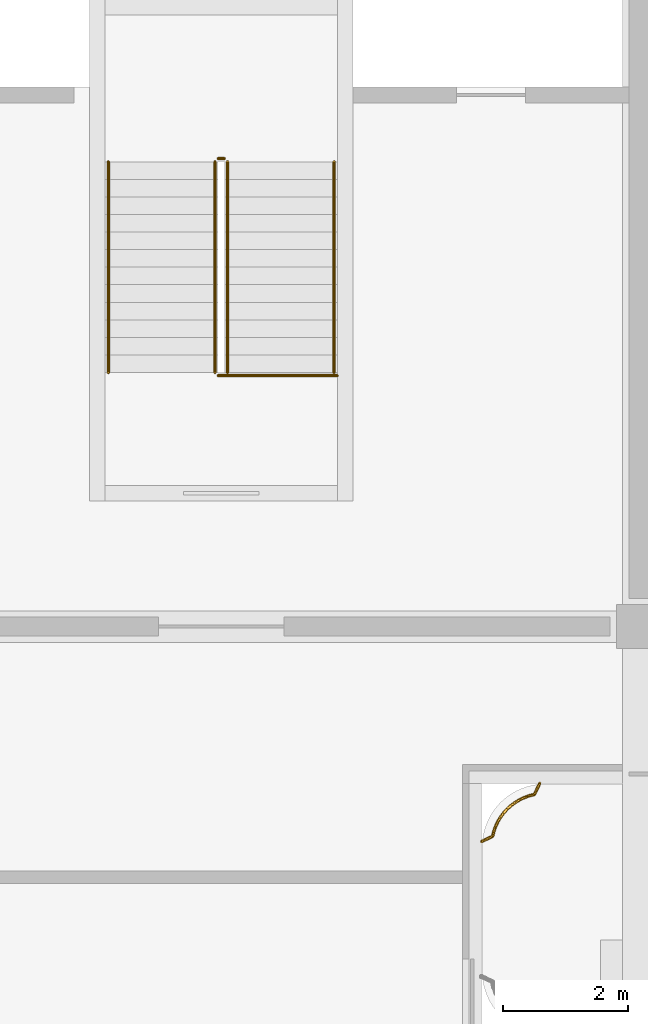
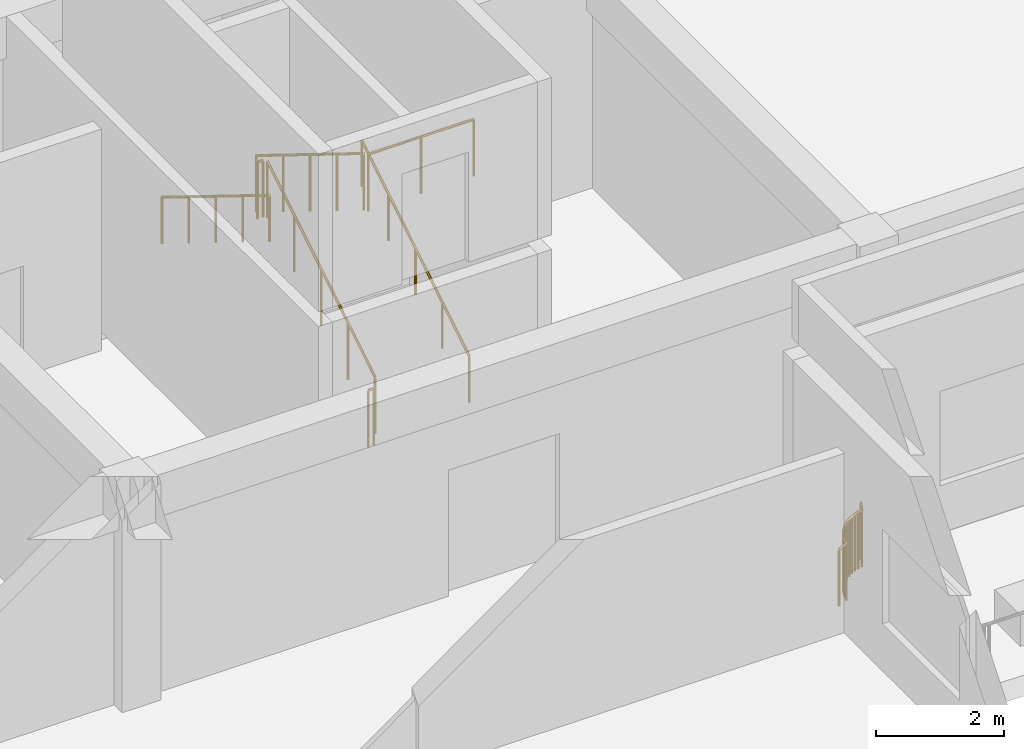
# One storey, part 33 of 35: 8 railings.
"""IFC4 building model written with IfcOpenShell, lengths in metres."""

import ifcopenshell
import ifcopenshell.guid

model = None  # the IFC model being written
_history = None  # IfcOwnerHistory: only IFC2X3 demands one
_inside = {}  # id of a spatial element -> (the spatial element, [elements in it])
_under = {}  # id of a project, library or spatial element -> (it, [spatial elements below it])
_declared = {}  # id of a project -> (the project, [libraries it declares])
_typed = {}  # id of a type object -> (the type object, [elements of that type])
_made_of = {}  # id of a material, layer set ... -> (it, [elements and type objects made of it])


def new_model(schema):
    """Start an empty IFC model of exactly this schema.

    Asked for "IFC4X3", IfcOpenShell would pick the latest addendum, in which some entities
    have other attributes; the version numbers below select the first issue.
    IFC2X3 requires an IfcOwnerHistory on every rooted entity: one is made here for all.
    """
    global model, _history
    if schema == "IFC4X3":
        model = ifcopenshell.file(schema_version=(4, 3, 0, 0))
    else:
        model = ifcopenshell.file(schema=schema)
    _inside.clear()
    _under.clear()
    _declared.clear()
    _typed.clear()
    _made_of.clear()
    _history = None
    if model.schema == "IFC2X3":
        org = make("IfcOrganization", Name="unknown")
        user = make(
            "IfcPersonAndOrganization",
            ThePerson=make("IfcPerson", FamilyName="unknown"),
            TheOrganization=org,
        )
        app = make(
            "IfcApplication",
            ApplicationDeveloper=org,
            Version="unknown",
            ApplicationFullName="unknown",
            ApplicationIdentifier="unknown",
        )
        _history = make(
            "IfcOwnerHistory",
            OwningUser=user,
            OwningApplication=app,
            ChangeAction="ADDED",
            CreationDate=0,
        )
    return model


def make(cls, **values):
    """One entity of the class cls with the attributes given. An attribute that is None is left unset."""
    return model.create_entity(
        cls, **{name: value for name, value in values.items() if value is not None}
    )


def rooted(cls, **values):
    """An entity with a GlobalId (a new one), such as an element, a storey or a relation."""
    return make(cls, GlobalId=ifcopenshell.guid.new(), OwnerHistory=_history, **values)


def si_unit(unit_type, name, prefix=None):
    """IfcSIUnit, for example si_unit("LENGTHUNIT", "METRE", prefix="MILLI")."""
    return make("IfcSIUnit", UnitType=unit_type, Prefix=prefix, Name=name)


def assignment(units):
    """IfcUnitAssignment: the units of a project."""
    return None if units is None else make("IfcUnitAssignment", Units=units)


def point(xyz):
    """IfcCartesianPoint."""
    return None if xyz is None else make("IfcCartesianPoint", Coordinates=xyz)


def direction(xyz):
    """IfcDirection."""
    return None if xyz is None else make("IfcDirection", DirectionRatios=xyz)


def frame(location, z_axis=None, x_axis=None):
    """IfcAxis2Placement3D, a coordinate frame: its origin and axes. An axis left out is left unset."""
    return make(
        "IfcAxis2Placement3D",
        Location=point(location),
        Axis=direction(z_axis),
        RefDirection=direction(x_axis),
    )


def frame_2d(location, x_axis=None):
    """IfcAxis2Placement2D, a coordinate frame in the plane: its origin and x axis."""
    return make(
        "IfcAxis2Placement2D", Location=point(location), RefDirection=direction(x_axis)
    )


def origin():
    """The frame at (0, 0, 0) with its axes left unset."""
    return frame((0.0, 0.0, 0.0))


def origin_2d():
    """The frame at (0, 0) in the plane with its x axis left unset."""
    return frame_2d((0.0, 0.0))


def place(relative_to, where):
    """IfcLocalPlacement: puts the frame where relative to a parent placement (None: the world)."""
    return make(
        "IfcLocalPlacement", PlacementRelTo=relative_to, RelativePlacement=where
    )


def context(
    kind, dimensions, precision=None, world=None, true_north=None, identifier=None
):
    """IfcGeometricRepresentationContext, for example the 3D "Model" context."""
    return make(
        "IfcGeometricRepresentationContext",
        ContextIdentifier=identifier,
        ContextType=kind,
        CoordinateSpaceDimension=dimensions,
        Precision=precision,
        WorldCoordinateSystem=world,
        TrueNorth=true_north,
    )


def subcontext(parent, identifier, kind, view, scale=None):
    """IfcGeometricRepresentationSubContext, for example "Body" below "Model"."""
    return make(
        "IfcGeometricRepresentationSubContext",
        ContextIdentifier=identifier,
        ContextType=kind,
        ParentContext=parent,
        TargetScale=scale,
        TargetView=view,
    )


def project(units=None, contexts=None):
    """IfcProject with its units and contexts."""
    return rooted(
        "IfcProject",
        Name="project",
        RepresentationContexts=contexts,
        UnitsInContext=assignment(units),
    )


def spatial(cls, under=None, at=None, **own):
    """A site, building, storey or space (cls), placed at a placement, below another one or the project."""
    s = rooted(cls, ObjectPlacement=at, **own)
    if under is not None:
        _under.setdefault(under.id(), (under, []))[1].append(s)
    return s


def profile(cls, at=None, kind="AREA", **sizes):
    """A parametric profile (cls). Its sizes go by their IFC names, for example OverallWidth=200.0."""
    return make(cls, ProfileType=kind, Position=at, **sizes)


def circle(**sizes):
    """IfcCircleProfileDef."""
    return profile("IfcCircleProfileDef", **sizes)


def extrude(swept, where, along, depth):
    """IfcExtrudedAreaSolid: the profile swept, set in the frame where, extruded along a direction by depth."""
    return make(
        "IfcExtrudedAreaSolid",
        SweptArea=swept,
        Position=where,
        ExtrudedDirection=direction(along),
        Depth=depth,
    )


def shape(context_of_items, identifier, shape_type, items):
    """IfcShapeRepresentation: the items that make up one representation, for example the "Body"."""
    return make(
        "IfcShapeRepresentation",
        ContextOfItems=context_of_items,
        RepresentationIdentifier=identifier,
        RepresentationType=shape_type,
        Items=items,
    )


def material(Name=None, Category=None):
    """IfcMaterial."""
    return make("IfcMaterial", Name=Name, Category=Category)


def made_of(thing, what):
    """Note that an element or type object is made of a material, layer set ...; save() writes the relation."""
    if what is not None:
        _made_of.setdefault(what.id(), (what, []))[1].append(thing)
    return thing


def type_object(cls, material=None, **own):
    """A type object (cls), such as IfcWallType, which elements share."""
    return made_of(rooted(cls, **own), material)


def element(
    cls,
    number,
    at=None,
    inside=None,
    cuts=None,
    type_object=None,
    material=None,
    context=None,
    identifier="Body",
    shape_type=None,
    held_by="IfcProductDefinitionShape",
    body=None,
    shapes=None,
    **own,
):
    """One element of the class cls, such as IfcWall. Its Tag is "e" and its number.

    at: its placement. inside: the storey or other place that contains it. cuts: it is an
    opening in that element (IfcRelVoidsElement). A single representation is given by context,
    identifier, shape_type and body (its items); several are given by shapes. held_by: the class
    of the entity that holds the representations. save() writes the other relations.
    """
    e = rooted(cls, Tag="e%d" % number, ObjectPlacement=at, **own)
    if body is not None:
        shapes = [shape(context, identifier, shape_type, body)]
    if shapes is not None:
        e.Representation = make(held_by, Representations=shapes)
    if inside is not None:
        _inside.setdefault(inside.id(), (inside, []))[1].append(e)
    if cuts is not None:
        rooted(
            "IfcRelVoidsElement", RelatingBuildingElement=cuts, RelatedOpeningElement=e
        )
    if type_object is not None:
        _typed.setdefault(type_object.id(), (type_object, []))[1].append(e)
    return made_of(e, material)


def aggregate(whole, parts):
    """IfcRelAggregates: a whole, such as a stair, and the parts it consists of."""
    return rooted("IfcRelAggregates", RelatingObject=whole, RelatedObjects=parts)


def save(model, path):
    """Write the relations noted so far, then the file.

    IfcRelAggregates (storeys below a building ...), IfcRelContainedInSpatialStructure (elements
    in a storey), IfcRelDefinesByType, IfcRelAssociatesMaterial and IfcRelDeclares: one each for
    every whole, place, type object, material and project.
    """
    for whole, parts in _under.values():
        aggregate(whole, parts)
    for where, things in _inside.values():
        rooted(
            "IfcRelContainedInSpatialStructure",
            RelatedElements=things,
            RelatingStructure=where,
        )
    for kind, things in _typed.values():
        rooted("IfcRelDefinesByType", RelatedObjects=things, RelatingType=kind)
    for what, things in _made_of.values():
        rooted("IfcRelAssociatesMaterial", RelatedObjects=things, RelatingMaterial=what)
    for by, libraries in _declared.values():
        rooted("IfcRelDeclares", RelatingContext=by, RelatedDefinitions=libraries)
    model.write(path)


model = new_model("IFC4")

# Units and contexts
model_context = context("Model", 3, precision=1e-05, world=origin(), true_north=direction((0.0, 1.0)))
body_context = subcontext(model_context, "Body", "Model", "MODEL_VIEW")
ifc_project = project(units=[si_unit("LENGTHUNIT", "METRE"), si_unit("AREAUNIT", "SQUARE_METRE"), si_unit("VOLUMEUNIT", "CUBIC_METRE"), si_unit("PLANEANGLEUNIT", "RADIAN"), si_unit("MASSUNIT", "GRAM", prefix="KILO")], contexts=[model_context])

# Site, building, storey
site_placement = place(None, origin())
site = spatial("IfcSite", under=ifc_project, at=site_placement, CompositionType="ELEMENT")
building_placement = place(site_placement, origin())
building = spatial("IfcBuilding", under=site, at=building_placement, Name="Kilnfold Tower and Market Hall", CompositionType="ELEMENT")
storey_placement = place(building_placement, frame((0.0, 0.0, 22.5)))
storey = spatial("IfcBuildingStorey", under=building, at=storey_placement, Name="L04", CompositionType="ELEMENT", Elevation=22.5)

# Railings
ifc_material_1 = material(Name="Steel S355", Category="steel")
railing_type_1 = type_object("IfcRailingType", Name="HALL STAIR GUARD 1100", PredefinedType="GUARDRAIL", material=ifc_material_1)
railing_1_placement = place(storey_placement, frame((24.10009765625, 46.699951171875, 0.173095703125)))
element("IfcRailing", 1, at=railing_1_placement, inside=storey, type_object=railing_type_1, Name="L04 MS5 stair guard 1", PredefinedType="GUARDRAIL", context=body_context, shape_type="SweptSolid", body=[
    extrude(circle(Radius=0.02392578125, at=origin_2d()), frame((0.0, 0.0, 1.076171875), z_axis=(0.0, 0.850623216509, 0.525775754039), x_axis=(-1.0, 0.0, 0.0)), (0.0, 0.0, 1.0), 3.9501953125),
    extrude(circle(Radius=0.02099609375, at=origin_2d()), origin(), (0.0, 0.0, 1.0), 1.052001953125),
    extrude(circle(Radius=0.02099609375, at=origin_2d()), frame((0.0, 0.840087890625, 0.519287109375)), (0.0, 0.0, 1.0), 1.052001953125),
    extrude(circle(Radius=0.02099609375, at=origin_2d()), frame((0.0, 1.68017578125, 1.03857421875)), (0.0, 0.0, 1.0), 1.052001953125),
    extrude(circle(Radius=0.02099609375, at=origin_2d()), frame((0.0, 2.52001953125, 1.5576171875)), (0.0, 0.0, 1.0), 1.052001953125),
    extrude(circle(Radius=0.02099609375, at=origin_2d()), frame((0.0, 3.360107421875, 2.076904296875)), (0.0, 0.0, 1.0), 1.052001953125),
])
railing_2_placement = place(storey_placement, frame((24.050048828125, 50.110107421875, 2.25)))
element("IfcRailing", 2, at=railing_2_placement, inside=storey, type_object=railing_type_1, Name="L04 MS5 stair guard 2", PredefinedType="GUARDRAIL", context=body_context, shape_type="SweptSolid", body=[
    extrude(circle(Radius=0.02392578125, at=origin_2d()), frame((0.0, 0.0, 1.076171875), z_axis=(-1.0, 0.0, 0.0), x_axis=(0.0, -1.0, 0.0)), (0.0, 0.0, 1.0), 0.10009765625),
    extrude(circle(Radius=0.02099609375, at=origin_2d()), origin(), (0.0, 0.0, 1.0), 1.052001953125),
    extrude(circle(Radius=0.02099609375, at=origin_2d()), frame((-0.10009765625, 0.0, 0.0)), (0.0, 0.0, 1.0), 1.052001953125),
])
railing_3_placement = place(storey_placement, frame((23.89990234375, 50.06005859375, 2.423095703125)))
element("IfcRailing", 3, at=railing_3_placement, inside=storey, type_object=railing_type_1, Name="L04 MS5 stair guard 3", PredefinedType="GUARDRAIL", context=body_context, shape_type="SweptSolid", body=[
    extrude(circle(Radius=0.02392578125, at=origin_2d()), frame((0.0, 0.0, 1.076171875), z_axis=(0.0, -0.850623216509, 0.525775754039), x_axis=(1.0, 0.0, 0.0)), (0.0, 0.0, 1.0), 3.9501953125),
    extrude(circle(Radius=0.02099609375, at=origin_2d()), origin(), (0.0, 0.0, 1.0), 1.052001953125),
    extrude(circle(Radius=0.02099609375, at=origin_2d()), frame((0.0, -0.840087890625, 0.519287109375)), (0.0, 0.0, 1.0), 1.052001953125),
    extrude(circle(Radius=0.02099609375, at=origin_2d()), frame((0.0, -1.68017578125, 1.03857421875)), (0.0, 0.0, 1.0), 1.052001953125),
    extrude(circle(Radius=0.02099609375, at=origin_2d()), frame((0.0, -2.52001953125, 1.5576171875)), (0.0, 0.0, 1.0), 1.052001953125),
    extrude(circle(Radius=0.02099609375, at=origin_2d()), frame((0.0, -3.360107421875, 2.076904296875)), (0.0, 0.0, 1.0), 1.052001953125),
])
railing_4_placement = place(storey_placement, frame((24.050048828125, 46.64990234375, 0.0)))
element("IfcRailing", 4, at=railing_4_placement, inside=storey, type_object=railing_type_1, Name="L04 MS5 stair guard 4", PredefinedType="GUARDRAIL", context=body_context, shape_type="SweptSolid", body=[
    extrude(circle(Radius=0.02392578125, at=origin_2d()), frame((0.0, 0.0, 1.076171875), z_axis=(-1.0, 0.0, 0.0), x_axis=(0.0, -1.0, 0.0)), (0.0, 0.0, 1.0), 0.10009765625),
    extrude(circle(Radius=0.02099609375, at=origin_2d()), origin(), (0.0, 0.0, 1.0), 1.052001953125),
    extrude(circle(Radius=0.02099609375, at=origin_2d()), frame((-0.10009765625, 0.0, 0.0)), (0.0, 0.0, 1.0), 1.052001953125),
])
railing_5_placement = place(storey_placement, frame((25.85009765625, 46.64990234375, 4.5)))
element("IfcRailing", 5, at=railing_5_placement, inside=storey, type_object=railing_type_1, Name="L04 MS5 top well guard 1", PredefinedType="GUARDRAIL", context=body_context, shape_type="SweptSolid", body=[
    extrude(circle(Radius=0.02392578125, at=origin_2d()), frame((0.0, 0.0, 1.076171875), z_axis=(-1.0, 0.0, 0.0), x_axis=(0.0, -1.0, 0.0)), (0.0, 0.0, 1.0), 1.900146484375),
    extrude(circle(Radius=0.02099609375, at=origin_2d()), origin(), (0.0, 0.0, 1.0), 1.052001953125),
    extrude(circle(Radius=0.02099609375, at=origin_2d()), frame((-0.9501953125, 0.0, 0.0)), (0.0, 0.0, 1.0), 1.052001953125),
    extrude(circle(Radius=0.02099609375, at=origin_2d()), frame((-1.900146484375, 0.0, 0.0)), (0.0, 0.0, 1.0), 1.052001953125),
])
ifc_material_2 = material(Name="Steel S355", Category="steel")
railing_type_2 = type_object("IfcRailingType", Name="HALL STAIR HANDRAIL", PredefinedType="HANDRAIL", material=ifc_material_2)
railing_6_placement = place(storey_placement, frame((25.800048828125, 46.699951171875, 0.173095703125)))
element("IfcRailing", 6, at=railing_6_placement, inside=storey, type_object=railing_type_2, Name="L04 MS5 stair handrail 1", PredefinedType="HANDRAIL", context=body_context, shape_type="SweptSolid", body=[
    extrude(circle(Radius=0.02392578125, at=origin_2d()), frame((0.0, 0.0, 0.8759765625), z_axis=(0.0, 0.850623216509, 0.525775754039), x_axis=(-1.0, 0.0, 0.0)), (0.0, 0.0, 1.0), 3.9501953125),
    extrude(circle(Radius=0.02099609375, at=origin_2d()), origin(), (0.0, 0.0, 1.0), 0.851806640625),
    extrude(circle(Radius=0.02099609375, at=origin_2d()), frame((0.0, 0.840087890625, 0.519287109375)), (0.0, 0.0, 1.0), 0.851806640625),
    extrude(circle(Radius=0.02099609375, at=origin_2d()), frame((0.0, 1.68017578125, 1.03857421875)), (0.0, 0.0, 1.0), 0.851806640625),
    extrude(circle(Radius=0.02099609375, at=origin_2d()), frame((0.0, 2.52001953125, 1.5576171875)), (0.0, 0.0, 1.0), 0.851806640625),
    extrude(circle(Radius=0.02099609375, at=origin_2d()), frame((0.0, 3.360107421875, 2.076904296875)), (0.0, 0.0, 1.0), 0.851806640625),
])
railing_7_placement = place(storey_placement, frame((22.199951171875, 50.06005859375, 2.423095703125)))
element("IfcRailing", 7, at=railing_7_placement, inside=storey, type_object=railing_type_2, Name="L04 MS5 stair handrail 2", PredefinedType="HANDRAIL", context=body_context, shape_type="SweptSolid", body=[
    extrude(circle(Radius=0.02392578125, at=origin_2d()), frame((0.0, 0.0, 0.8759765625), z_axis=(0.0, -0.850623216509, 0.525775754039), x_axis=(1.0, 0.0, 0.0)), (0.0, 0.0, 1.0), 3.9501953125),
    extrude(circle(Radius=0.02099609375, at=origin_2d()), origin(), (0.0, 0.0, 1.0), 0.851806640625),
    extrude(circle(Radius=0.02099609375, at=origin_2d()), frame((0.0, -0.840087890625, 0.519287109375)), (0.0, 0.0, 1.0), 0.851806640625),
    extrude(circle(Radius=0.02099609375, at=origin_2d()), frame((0.0, -1.68017578125, 1.03857421875)), (0.0, 0.0, 1.0), 0.851806640625),
    extrude(circle(Radius=0.02099609375, at=origin_2d()), frame((0.0, -2.52001953125, 1.5576171875)), (0.0, 0.0, 1.0), 0.851806640625),
    extrude(circle(Radius=0.02099609375, at=origin_2d()), frame((0.0, -3.360107421875, 2.076904296875)), (0.0, 0.0, 1.0), 0.851806640625),
])
ifc_material_3 = material(Name="Steel S355", Category="steel")
railing_type_3 = type_object("IfcRailingType", Name="TERRACE GUARD 1100", PredefinedType="GUARDRAIL", material=ifc_material_3)
railing_8_placement = place(storey_placement, frame((28.14990234375, 39.223388671875, 0.0)))
element("IfcRailing", 8, at=railing_8_placement, inside=storey, type_object=railing_type_3, Name="Terrace guard L04", PredefinedType="GUARDRAIL", context=body_context, shape_type="SweptSolid", body=[
    extrude(circle(Radius=0.02392578125, at=origin_2d()), frame((0.0, 0.0, 1.076171875), z_axis=(0.905894838858, 0.42350270475, 0.0), x_axis=(-0.42350270475, 0.905894838858, 0.0)), (0.0, 0.0, 1.0), 0.19482421875),
    extrude(circle(Radius=0.02392578125, at=origin_2d()), frame((0.176513671875, 0.08251953125, 1.076171875), z_axis=(0.243225074977, 0.969969877317, 0.0), x_axis=(-0.969969877317, 0.243225074977, 0.0)), (0.0, 0.0, 1.0), 0.083251953125),
    extrude(circle(Radius=0.02392578125, at=origin_2d()), frame((0.19677734375, 0.163330078125, 1.076171875), z_axis=(0.339860442393, 0.94047587938, 0.0), x_axis=(-0.94047587938, 0.339860442393, 0.0)), (0.0, 0.0, 1.0), 0.083251953125),
    extrude(circle(Radius=0.02392578125, at=origin_2d()), frame((0.22509765625, 0.24169921875, 1.076171875), z_axis=(0.424809143949, 0.905282934346, 0.0), x_axis=(-0.905282934346, 0.424809143949, 0.0)), (0.0, 0.0, 1.0), 0.083251953125),
    extrude(circle(Radius=0.02392578125, at=origin_2d()), frame((0.260498046875, 0.317138671875, 1.076171875), z_axis=(0.514925942955, 0.857234666397, 0.0), x_axis=(-0.857234666397, 0.514925942955, 0.0)), (0.0, 0.0, 1.0), 0.08349609375),
    extrude(circle(Radius=0.02392578125, at=origin_2d()), frame((0.303466796875, 0.388671875, 1.076171875), z_axis=(0.595786159963, 0.803143107794, 0.0), x_axis=(-0.803143107794, 0.595786159963, 0.0)), (0.0, 0.0, 1.0), 0.08349609375),
    extrude(circle(Radius=0.02392578125, at=origin_2d()), frame((0.353271484375, 0.455810546875, 1.076171875), z_axis=(0.671066773129, 0.741396915291, 0.0), x_axis=(-0.741396915291, 0.671066773129, 0.0)), (0.0, 0.0, 1.0), 0.083251953125),
    extrude(circle(Radius=0.02392578125, at=origin_2d()), frame((0.4091796875, 0.517578125, 1.076171875), z_axis=(0.741396915291, 0.671066773129, 0.0), x_axis=(-0.671066773129, 0.741396915291, 0.0)), (0.0, 0.0, 1.0), 0.083251953125),
    extrude(circle(Radius=0.02392578125, at=origin_2d()), frame((0.470947265625, 0.573486328125, 1.076171875), z_axis=(0.803143107794, 0.595786159963, 0.0), x_axis=(-0.595786159963, 0.803143107794, 0.0)), (0.0, 0.0, 1.0), 0.08349609375),
    extrude(circle(Radius=0.02392578125, at=origin_2d()), frame((0.5380859375, 0.623291015625, 1.076171875), z_axis=(0.858525353686, 0.512771115683, 0.0), x_axis=(-0.512771115683, 0.858525353686, 0.0)), (0.0, 0.0, 1.0), 0.083251953125),
    extrude(circle(Radius=0.02392578125, at=origin_2d()), frame((0.609619140625, 0.666015625, 1.076171875), z_axis=(0.903618326629, 0.428338557428, 0.0), x_axis=(-0.428338557428, 0.903618326629, 0.0)), (0.0, 0.0, 1.0), 0.083251953125),
    extrude(circle(Radius=0.02392578125, at=origin_2d()), frame((0.684814453125, 0.70166015625, 1.076171875), z_axis=(0.941741911595, 0.336336396998, 0.0), x_axis=(-0.336336396998, 0.941741911595, 0.0)), (0.0, 0.0, 1.0), 0.08349609375),
    extrude(circle(Radius=0.02392578125, at=origin_2d()), frame((0.763427734375, 0.729736328125, 1.076171875), z_axis=(0.969969877317, 0.243225074977, 0.0), x_axis=(-0.243225074977, 0.969969877317, 0.0)), (0.0, 0.0, 1.0), 0.083251953125),
    extrude(circle(Radius=0.02392578125, at=origin_2d()), frame((0.84423828125, 0.75, 1.076171875), z_axis=(0.42350270475, 0.905894838858, 0.0), x_axis=(-0.905894838858, 0.42350270475, 0.0)), (0.0, 0.0, 1.0), 0.19482421875),
    extrude(circle(Radius=0.02099609375, at=origin_2d()), origin(), (0.0, 0.0, 1.0), 1.052001953125),
    extrude(circle(Radius=0.02099609375, at=origin_2d()), frame((0.176513671875, 0.08251953125, 0.0)), (0.0, 0.0, 1.0), 1.052001953125),
    extrude(circle(Radius=0.02099609375, at=origin_2d()), frame((0.19677734375, 0.163330078125, 0.0)), (0.0, 0.0, 1.0), 1.052001953125),
    extrude(circle(Radius=0.02099609375, at=origin_2d()), frame((0.22509765625, 0.24169921875, 0.0)), (0.0, 0.0, 1.0), 1.052001953125),
    extrude(circle(Radius=0.02099609375, at=origin_2d()), frame((0.260498046875, 0.317138671875, 0.0)), (0.0, 0.0, 1.0), 1.052001953125),
    extrude(circle(Radius=0.02099609375, at=origin_2d()), frame((0.303466796875, 0.388671875, 0.0)), (0.0, 0.0, 1.0), 1.052001953125),
    extrude(circle(Radius=0.02099609375, at=origin_2d()), frame((0.353271484375, 0.455810546875, 0.0)), (0.0, 0.0, 1.0), 1.052001953125),
    extrude(circle(Radius=0.02099609375, at=origin_2d()), frame((0.4091796875, 0.517578125, 0.0)), (0.0, 0.0, 1.0), 1.052001953125),
    extrude(circle(Radius=0.02099609375, at=origin_2d()), frame((0.470947265625, 0.573486328125, 0.0)), (0.0, 0.0, 1.0), 1.052001953125),
    extrude(circle(Radius=0.02099609375, at=origin_2d()), frame((0.5380859375, 0.623291015625, 0.0)), (0.0, 0.0, 1.0), 1.052001953125),
    extrude(circle(Radius=0.02099609375, at=origin_2d()), frame((0.609619140625, 0.666015625, 0.0)), (0.0, 0.0, 1.0), 1.052001953125),
    extrude(circle(Radius=0.02099609375, at=origin_2d()), frame((0.684814453125, 0.70166015625, 0.0)), (0.0, 0.0, 1.0), 1.052001953125),
    extrude(circle(Radius=0.02099609375, at=origin_2d()), frame((0.763427734375, 0.729736328125, 0.0)), (0.0, 0.0, 1.0), 1.052001953125),
    extrude(circle(Radius=0.02099609375, at=origin_2d()), frame((0.84423828125, 0.75, 0.0)), (0.0, 0.0, 1.0), 1.052001953125),
    extrude(circle(Radius=0.02099609375, at=origin_2d()), frame((0.9267578125, 0.926513671875, 0.0)), (0.0, 0.0, 1.0), 1.052001953125),
])

save(model, "model.ifc")
